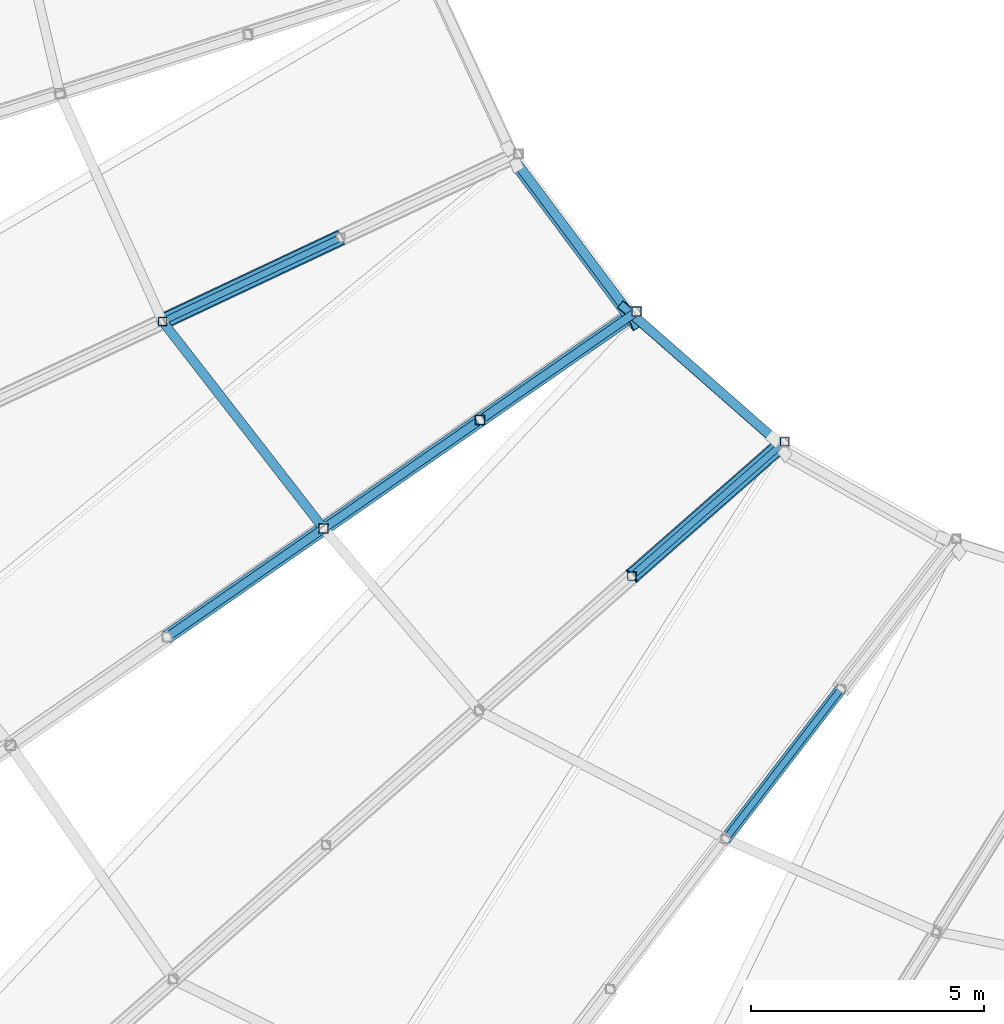
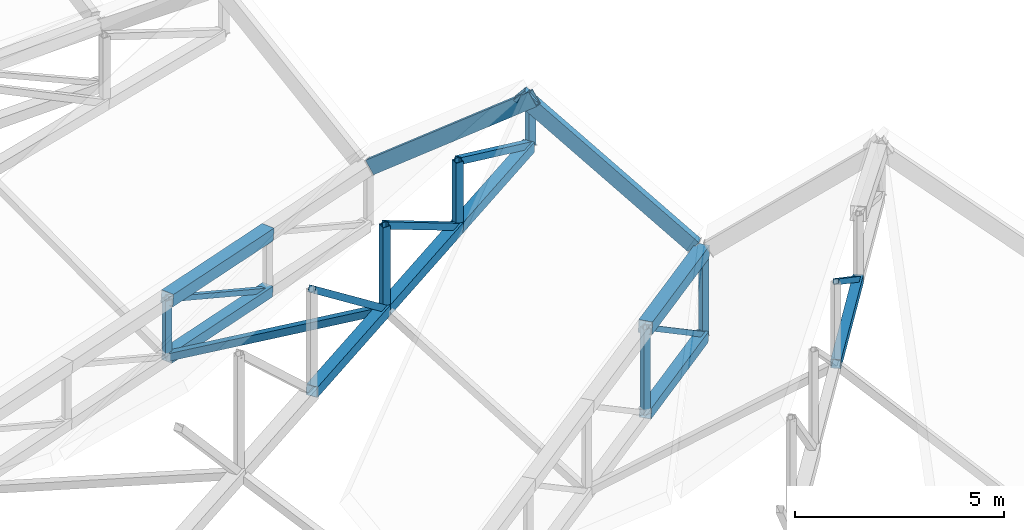
# One storey, part 21 of 344: 21 members, 2 beams.
"""IFC4 building model written with IfcOpenShell, lengths in metres."""

from ifc_helpers import new_model, si_unit, direction, frame, origin, origin_2d, place, context, subcontext, project, spatial, hollow_rectangle, extrude, material, material_profile, profile_set, type_object, element, save


model = new_model("IFC4")

# Units and contexts
model_context = context("Model", 3, precision=1e-05, world=origin(), true_north=direction((0.0, 1.0)))
body_context = subcontext(model_context, "Body", "Model", "MODEL_VIEW")
ifc_project = project(units=[si_unit("LENGTHUNIT", "METRE"), si_unit("AREAUNIT", "SQUARE_METRE"), si_unit("VOLUMEUNIT", "CUBIC_METRE"), si_unit("PLANEANGLEUNIT", "RADIAN"), si_unit("MASSUNIT", "GRAM", prefix="KILO")], contexts=[model_context])

# Site, building, storey
site_placement = place(None, origin())
site = spatial("IfcSite", under=ifc_project, at=site_placement, CompositionType="ELEMENT")
building_placement = place(site_placement, origin())
building = spatial("IfcBuilding", under=site, at=building_placement, Name="Meseta Stadium", CompositionType="ELEMENT")
storey_placement = place(building_placement, frame((0.0, 0.0, 24.0)))
storey = spatial("IfcBuildingStorey", under=building, at=storey_placement, Name="L04", CompositionType="ELEMENT", Elevation=24.0)

# Beams
ifc_material_1 = material(Name="Steel S355", Category="steel")
ifc_material_profile_1 = material_profile(ifc_material_1, hollow_rectangle(XDim=0.199951171875, YDim=0.39990234375, WallThickness=0.01611328125, at=origin_2d()), Name="RHS 400x200x16")
ifc_profile_set_1 = profile_set([ifc_material_profile_1], Name="Steel S355")
beam_type = type_object("IfcBeamType", Name="RHS 400x200x16 tip ring beam", PredefinedType="BEAM", material=ifc_profile_set_1)
beam_1_placement = place(storey_placement, frame((-44.15283203125, -55.817626953125, 4.232177734375), z_axis=(0.479896094114, -0.641998840891, 0.597944167251), x_axis=(0.8473969645, 0.515691360282, -0.126415210666)))
element("IfcBeam", 1, at=beam_1_placement, inside=storey, type_object=beam_type, Name="TIP RING BEAM 40", PredefinedType="BEAM", context=body_context, shape_type="SweptSolid", body=[
    extrude(hollow_rectangle(XDim=0.199951171875, YDim=0.39990234375, WallThickness=0.01611328125, at=origin_2d()), origin(), (0.0, 0.0, 1.0), 5.29248046875),
])
beam_2_placement = place(storey_placement, frame((-41.82958984375, -58.88818359375, 7.40087890625), z_axis=(0.5573991358, -0.489817526643, -0.670361838116), x_axis=(0.651638728734, 0.758429172976, -0.012335185151)))
element("IfcBeam", 2, at=beam_2_placement, inside=storey, type_object=beam_type, Name="TIP RING BEAM 41", PredefinedType="BEAM", context=body_context, shape_type="SweptSolid", body=[
    extrude(hollow_rectangle(XDim=0.199951171875, YDim=0.39990234375, WallThickness=0.01611328125, at=origin_2d()), origin(), (0.0, 0.0, 1.0), 5.7294921875),
])

# Members
ifc_material_2 = material(Name="Steel S355", Category="steel")
ifc_material_profile_2 = material_profile(ifc_material_2, hollow_rectangle(XDim=0.139892578125, YDim=0.139892578125, WallThickness=0.0048828125, at=origin_2d()), Name="SHS 140x140x5")
ifc_profile_set_2 = profile_set([ifc_material_profile_2], Name="Steel S355")
member_type_1 = type_object("IfcMemberType", Name="SHS 140x140x5 diagonal", PredefinedType="BRACE", material=ifc_profile_set_2)
member_1_placement = place(storey_placement, frame((-47.92333984375, -57.378173828125, 2.890380859375), z_axis=(-0.804687036619, -0.379042764226, 0.456952246942), x_axis=(0.426134347878, -0.904659890544, 0.0)))
element("IfcMember", 3, at=member_1_placement, inside=storey, type_object=member_type_1, Name="ROOF TRUSS RT-39 diagonal", PredefinedType="BRACE", context=body_context, shape_type="SweptSolid", body=[
    extrude(hollow_rectangle(XDim=0.139892578125, YDim=0.139892578125, WallThickness=0.0048828125, at=origin_2d()), origin(), (0.0, 0.0, 1.0), 4.7412109375),
])
member_2_placement = place(storey_placement, frame((-38.40625, -61.752197265625, 0.9072265625), z_axis=(-0.612465724576, -0.538314569574, 0.578880955295), x_axis=(0.660174887179, -0.751111921312, 0.0)))
element("IfcMember", 4, at=member_2_placement, inside=storey, type_object=member_type_1, Name="ROOF TRUSS RT-41 diagonal", PredefinedType="BRACE", context=body_context, shape_type="SweptSolid", body=[
    extrude(hollow_rectangle(XDim=0.139892578125, YDim=0.139892578125, WallThickness=0.0048828125, at=origin_2d()), origin(), (0.0, 0.0, 1.0), 5.350341796875),
])
member_3_placement = place(storey_placement, frame((-37.197509765625, -67.04638671875, 5.31298828125), z_axis=(-0.505400512102, -0.65729983745, 0.559041363456), x_axis=(0.792749139849, -0.609548030321, 0.0)))
element("IfcMember", 5, at=member_3_placement, inside=storey, type_object=member_type_1, Name="ROOF TRUSS RT-42 diagonal", PredefinedType="BRACE", context=body_context, shape_type="SweptSolid", body=[
    extrude(hollow_rectangle(XDim=0.139892578125, YDim=0.139892578125, WallThickness=0.0048828125, at=origin_2d()), origin(), (0.0, 0.0, 1.0), 4.897216796875),
])
ifc_material_3 = material(Name="Steel S355", Category="steel")
ifc_material_profile_3 = material_profile(ifc_material_3, hollow_rectangle(XDim=0.179931640625, YDim=0.179931640625, WallThickness=0.00634765625, at=origin_2d()), Name="SHS 180x180x6.3")
ifc_profile_set_3 = profile_set([ifc_material_profile_3], Name="Steel S355")
member_type_2 = type_object("IfcMemberType", Name="SHS 180x180x6.3 diagonal", PredefinedType="BRACE", material=ifc_profile_set_3)
member_4_placement = place(storey_placement, frame((-41.57958984375, -58.963623046875, 5.88916015625), z_axis=(-0.730621041473, -0.506309429337, 0.458086951923), x_axis=(0.569586254046, -0.821931566009, 0.0)))
element("IfcMember", 6, at=member_4_placement, inside=storey, type_object=member_type_2, Name="ROOF TRUSS RT-40 diagonal", PredefinedType="BRACE", context=body_context, shape_type="SweptSolid", body=[
    extrude(hollow_rectangle(XDim=0.179931640625, YDim=0.179931640625, WallThickness=0.00634765625, at=origin_2d()), origin(), (0.0, 0.0, 1.0), 4.592041015625),
])
member_5_placement = place(storey_placement, frame((-44.9345703125, -61.28857421875, 6.068115234375), z_axis=(-0.691081472043, -0.478924539019, 0.541329552975), x_axis=(0.569598658516, -0.821922969759, 0.0)))
element("IfcMember", 7, at=member_5_placement, inside=storey, type_object=member_type_2, Name="ROOF TRUSS RT-40 diagonal", PredefinedType="BRACE", context=body_context, shape_type="SweptSolid", body=[
    extrude(hollow_rectangle(XDim=0.179931640625, YDim=0.179931640625, WallThickness=0.00634765625, at=origin_2d()), origin(), (0.0, 0.0, 1.0), 4.85498046875),
])
member_6_placement = place(storey_placement, frame((-48.289794921875, -63.61376953125, 6.246826171875), z_axis=(-0.650463916324, -0.450761743207, 0.611318693008), x_axis=(0.569586254046, -0.821931566009, 0.0)))
element("IfcMember", 8, at=member_6_placement, inside=storey, type_object=member_type_2, Name="ROOF TRUSS RT-40 diagonal", PredefinedType="BRACE", context=body_context, shape_type="SweptSolid", body=[
    extrude(hollow_rectangle(XDim=0.179931640625, YDim=0.179931640625, WallThickness=0.00634765625, at=origin_2d()), origin(), (0.0, 0.0, 1.0), 5.15771484375),
])
ifc_material_4 = material(Name="Steel S355", Category="steel")
ifc_material_profile_4 = material_profile(ifc_material_4, hollow_rectangle(XDim=0.179931640625, YDim=0.179931640625, WallThickness=0.00634765625, at=origin_2d()), Name="SHS 180x180x6.3")
ifc_profile_set_4 = profile_set([ifc_material_profile_4], Name="Steel S355")
member_type_3 = type_object("IfcMemberType", Name="SHS 180x180x6.3 post", PredefinedType="POST", material=ifc_profile_set_4)
member_7_placement = place(storey_placement, frame((-51.738525390625, -59.17529296875, 3.377197265625), z_axis=(0.0, 0.0, 1.0), x_axis=(1.0, 0.0, 0.0)))
element("IfcMember", 9, at=member_7_placement, inside=storey, type_object=member_type_3, Name="ROOF TRUSS RT-39 post", PredefinedType="POST", context=body_context, shape_type="SweptSolid", body=[
    extrude(hollow_rectangle(XDim=0.179931640625, YDim=0.179931640625, WallThickness=0.00634765625, at=origin_2d()), origin(), (0.0, 0.0, 1.0), 1.6796875),
])
member_8_placement = place(storey_placement, frame((-41.68310546875, -64.63232421875, 1.5107421875), z_axis=(0.0, 0.0, 1.0), x_axis=(1.0, 0.0, 0.0)))
element("IfcMember", 10, at=member_8_placement, inside=storey, type_object=member_type_3, Name="ROOF TRUSS RT-41 post", PredefinedType="POST", context=body_context, shape_type="SweptSolid", body=[
    extrude(hollow_rectangle(XDim=0.179931640625, YDim=0.179931640625, WallThickness=0.00634765625, at=origin_2d()), origin(), (0.0, 0.0, 1.0), 2.49365234375),
])
ifc_material_5 = material(Name="Steel S355", Category="steel")
ifc_material_profile_5 = material_profile(ifc_material_5, hollow_rectangle(XDim=0.179931640625, YDim=0.179931640625, WallThickness=0.00634765625, at=origin_2d()), Name="SHS 180x180x6.3")
ifc_profile_set_5 = profile_set([ifc_material_profile_5], Name="Steel S355")
member_type_4 = type_object("IfcMemberType", Name="SHS 180x180x6.3 rim post", PredefinedType="POST", material=ifc_profile_set_5)
member_9_placement = place(storey_placement, frame((-38.40625, -61.752197265625, 0.9072265625), z_axis=(0.0, 0.0, 1.0), x_axis=(1.0, 0.0, 0.0)))
element("IfcMember", 11, at=member_9_placement, inside=storey, type_object=member_type_4, Name="ROOF TRUSS RT-41 post", PredefinedType="POST", context=body_context, shape_type="SweptSolid", body=[
    extrude(hollow_rectangle(XDim=0.179931640625, YDim=0.179931640625, WallThickness=0.00634765625, at=origin_2d()), origin(), (0.0, 0.0, 1.0), 2.49365234375),
])
ifc_material_6 = material(Name="Steel S355", Category="steel")
ifc_material_profile_6 = material_profile(ifc_material_6, hollow_rectangle(XDim=0.199951171875, YDim=0.199951171875, WallThickness=0.008056640625, at=origin_2d()), Name="SHS 200x200x8")
ifc_profile_set_6 = profile_set([ifc_material_profile_6], Name="Steel S355")
member_type_5 = type_object("IfcMemberType", Name="SHS 200x200x8 post", PredefinedType="POST", material=ifc_profile_set_6)
member_10_placement = place(storey_placement, frame((-44.9345703125, -61.28857421875, 6.068115234375), z_axis=(0.0, 0.0, 1.0), x_axis=(1.0, 0.0, 0.0)))
element("IfcMember", 12, at=member_10_placement, inside=storey, type_object=member_type_5, Name="ROOF TRUSS RT-40 post", PredefinedType="POST", context=body_context, shape_type="SweptSolid", body=[
    extrude(hollow_rectangle(XDim=0.199951171875, YDim=0.199951171875, WallThickness=0.008056640625, at=origin_2d()), origin(), (0.0, 0.0, 1.0), 1.924560546875),
])
member_11_placement = place(storey_placement, frame((-48.289794921875, -63.61376953125, 6.246826171875), z_axis=(0.0, 0.0, 1.0), x_axis=(1.0, 0.0, 0.0)))
element("IfcMember", 13, at=member_11_placement, inside=storey, type_object=member_type_5, Name="ROOF TRUSS RT-40 post", PredefinedType="POST", context=body_context, shape_type="SweptSolid", body=[
    extrude(hollow_rectangle(XDim=0.199951171875, YDim=0.199951171875, WallThickness=0.008056640625, at=origin_2d()), origin(), (0.0, 0.0, 1.0), 2.449462890625),
])
ifc_material_7 = material(Name="Steel S355", Category="steel")
ifc_material_profile_7 = material_profile(ifc_material_7, hollow_rectangle(XDim=0.199951171875, YDim=0.199951171875, WallThickness=0.008056640625, at=origin_2d()), Name="SHS 200x200x8")
ifc_profile_set_7 = profile_set([ifc_material_profile_7], Name="Steel S355")
member_type_6 = type_object("IfcMemberType", Name="SHS 200x200x8 rim post", PredefinedType="POST", material=ifc_profile_set_7)
member_12_placement = place(storey_placement, frame((-41.57958984375, -58.963623046875, 5.88916015625), z_axis=(0.0, 0.0, 1.0), x_axis=(1.0, 0.0, 0.0)))
element("IfcMember", 14, at=member_12_placement, inside=storey, type_object=member_type_6, Name="ROOF TRUSS RT-40 post", PredefinedType="POST", context=body_context, shape_type="SweptSolid", body=[
    extrude(hollow_rectangle(XDim=0.199951171875, YDim=0.199951171875, WallThickness=0.008056640625, at=origin_2d()), origin(), (0.0, 0.0, 1.0), 1.39990234375),
])
ifc_material_8 = material(Name="Steel S355", Category="steel")
ifc_material_profile_8 = material_profile(ifc_material_8, hollow_rectangle(XDim=0.199951171875, YDim=0.199951171875, WallThickness=0.008056640625, at=origin_2d()), Name="SHS 200x200x8")
ifc_profile_set_8 = profile_set([ifc_material_profile_8], Name="Steel S355")
member_type_7 = type_object("IfcMemberType", Name="SHS 200x200x8 strut", PredefinedType="STRUT", material=ifc_profile_set_8)
member_13_placement = place(storey_placement, frame((-51.738525390625, -59.17529296875, 3.377197265625), z_axis=(0.54646431772, -0.703293309935, 0.454703496423), x_axis=(0.78964681566, 0.613561656656, 0.0)))
element("IfcMember", 15, at=member_13_placement, inside=storey, type_object=member_type_7, Name="ROOF TRUSS STRUT RT-39/40", PredefinedType="STRUT", context=body_context, shape_type="SweptSolid", body=[
    extrude(hollow_rectangle(XDim=0.199951171875, YDim=0.199951171875, WallThickness=0.008056640625, at=origin_2d()), origin(), (0.0, 0.0, 1.0), 6.31103515625),
])
ifc_material_9 = material(Name="Steel S355", Category="steel")
ifc_material_profile_9 = material_profile(ifc_material_9, hollow_rectangle(XDim=0.25, YDim=0.25, WallThickness=0.010009765625, at=origin_2d()), Name="SHS 250x250x10")
ifc_profile_set_9 = profile_set([ifc_material_profile_9], Name="Steel S355")
member_type_8 = type_object("IfcMemberType", Name="SHS 250x250x10 bottom chord", PredefinedType="CHORD", material=ifc_profile_set_9)
member_14_placement = place(storey_placement, frame((-37.197509765625, -67.04638671875, 5.31298828125), z_axis=(-0.607490590337, -0.790073331386, 0.082093323019), x_axis=(0.792749139849, -0.609548030321, 0.0)))
element("IfcMember", 16, at=member_14_placement, inside=storey, type_object=member_type_8, Name="ROOF TRUSS RT-42 bottom chord", PredefinedType="CHORD", context=body_context, shape_type="SweptSolid", body=[
    extrude(hollow_rectangle(XDim=0.25, YDim=0.25, WallThickness=0.010009765625, at=origin_2d()), origin(), (0.0, 0.0, 1.0), 4.07421875),
])
ifc_material_10 = material(Name="Steel S355", Category="steel")
ifc_material_profile_10 = material_profile(ifc_material_10, hollow_rectangle(XDim=0.300048828125, YDim=0.300048828125, WallThickness=0.010009765625, at=origin_2d()), Name="SHS 300x300x10")
ifc_profile_set_10 = profile_set([ifc_material_profile_10], Name="Steel S355")
member_type_9 = type_object("IfcMemberType", Name="SHS 300x300x10 bottom chord", PredefinedType="CHORD", material=ifc_profile_set_10)
member_15_placement = place(storey_placement, frame((-47.92333984375, -57.378173828125, 2.890380859375), z_axis=(-0.89869213364, -0.423323273547, 0.114672817206), x_axis=(0.426134347878, -0.904659890544, 0.0)))
element("IfcMember", 17, at=member_15_placement, inside=storey, type_object=member_type_9, Name="ROOF TRUSS RT-39 bottom chord", PredefinedType="CHORD", context=body_context, shape_type="SweptSolid", body=[
    extrude(hollow_rectangle(XDim=0.300048828125, YDim=0.300048828125, WallThickness=0.010009765625, at=origin_2d()), origin(), (0.0, 0.0, 1.0), 4.245361328125),
])
member_16_placement = place(storey_placement, frame((-41.66162109375, -59.0205078125, 5.8935546875), z_axis=(-0.821147445124, -0.569033251171, 0.043795347103), x_axis=(0.569579749562, -0.82193607348, 0.0)))
element("IfcMember", 18, at=member_16_placement, inside=storey, type_object=member_type_9, Name="ROOF TRUSS RT-40 bottom chord", PredefinedType="CHORD", context=body_context, shape_type="SweptSolid", body=[
    extrude(hollow_rectangle(XDim=0.300048828125, YDim=0.300048828125, WallThickness=0.010009765625, at=origin_2d()), origin(), (0.0, 0.0, 1.0), 3.98583984375),
])
member_17_placement = place(storey_placement, frame((-44.9345703125, -61.28857421875, 6.068115234375), z_axis=(-0.821136469786, -0.569053608255, 0.043736585599), x_axis=(0.569598658516, -0.821922969759, 0.0)))
element("IfcMember", 19, at=member_17_placement, inside=storey, type_object=member_type_9, Name="ROOF TRUSS RT-40 bottom chord", PredefinedType="CHORD", context=body_context, shape_type="SweptSolid", body=[
    extrude(hollow_rectangle(XDim=0.300048828125, YDim=0.300048828125, WallThickness=0.010009765625, at=origin_2d()), origin(), (0.0, 0.0, 1.0), 4.086181640625),
])
member_18_placement = place(storey_placement, frame((-48.289794921875, -63.61376953125, 6.246826171875), z_axis=(-0.821142779412, -0.569039636759, 0.043799858631), x_axis=(0.569586254046, -0.821931566009, 0.0)))
element("IfcMember", 20, at=member_18_placement, inside=storey, type_object=member_type_9, Name="ROOF TRUSS RT-40 bottom chord", PredefinedType="CHORD", context=body_context, shape_type="SweptSolid", body=[
    extrude(hollow_rectangle(XDim=0.300048828125, YDim=0.300048828125, WallThickness=0.010009765625, at=origin_2d()), origin(), (0.0, 0.0, 1.0), 4.085693359375),
])
member_19_placement = place(storey_placement, frame((-38.47314453125, -61.81103515625, 0.919677734375), z_axis=(-0.744034335335, -0.653944385392, 0.137002367344), x_axis=(0.660169306624, -0.751116826194, 0.0)))
element("IfcMember", 21, at=member_19_placement, inside=storey, type_object=member_type_9, Name="ROOF TRUSS RT-41 bottom chord", PredefinedType="CHORD", context=body_context, shape_type="SweptSolid", body=[
    extrude(hollow_rectangle(XDim=0.300048828125, YDim=0.300048828125, WallThickness=0.010009765625, at=origin_2d()), origin(), (0.0, 0.0, 1.0), 4.314208984375),
])
ifc_material_11 = material(Name="Steel S355", Category="steel")
ifc_material_profile_11 = material_profile(ifc_material_11, hollow_rectangle(XDim=0.35009765625, YDim=0.35009765625, WallThickness=0.010009765625, at=origin_2d()), Name="SHS 350x350x10")
ifc_profile_set_11 = profile_set([ifc_material_profile_11], Name="Steel S355")
member_type_10 = type_object("IfcMemberType", Name="SHS 350x350x10 top chord", PredefinedType="CHORD", material=ifc_profile_set_11)
member_20_placement = place(storey_placement, frame((-47.92333984375, -57.378173828125, 4.570068359375), z_axis=(-0.89869213364, -0.423323273547, 0.114672817206), x_axis=(0.426134347878, -0.904659890544, 0.0)))
element("IfcMember", 22, at=member_20_placement, inside=storey, type_object=member_type_10, Name="ROOF TRUSS RT-39 top chord", PredefinedType="CHORD", context=body_context, shape_type="SweptSolid", body=[
    extrude(hollow_rectangle(XDim=0.35009765625, YDim=0.35009765625, WallThickness=0.010009765625, at=origin_2d()), origin(), (0.0, 0.0, 1.0), 4.245361328125),
])
member_21_placement = place(storey_placement, frame((-38.47314453125, -61.81103515625, 3.413330078125), z_axis=(-0.744034335335, -0.653944385392, 0.137002367344), x_axis=(0.660169306624, -0.751116826194, 0.0)))
element("IfcMember", 23, at=member_21_placement, inside=storey, type_object=member_type_10, Name="ROOF TRUSS RT-41 top chord", PredefinedType="CHORD", context=body_context, shape_type="SweptSolid", body=[
    extrude(hollow_rectangle(XDim=0.35009765625, YDim=0.35009765625, WallThickness=0.010009765625, at=origin_2d()), origin(), (0.0, 0.0, 1.0), 4.314208984375),
])

save(model, "model.ifc")
